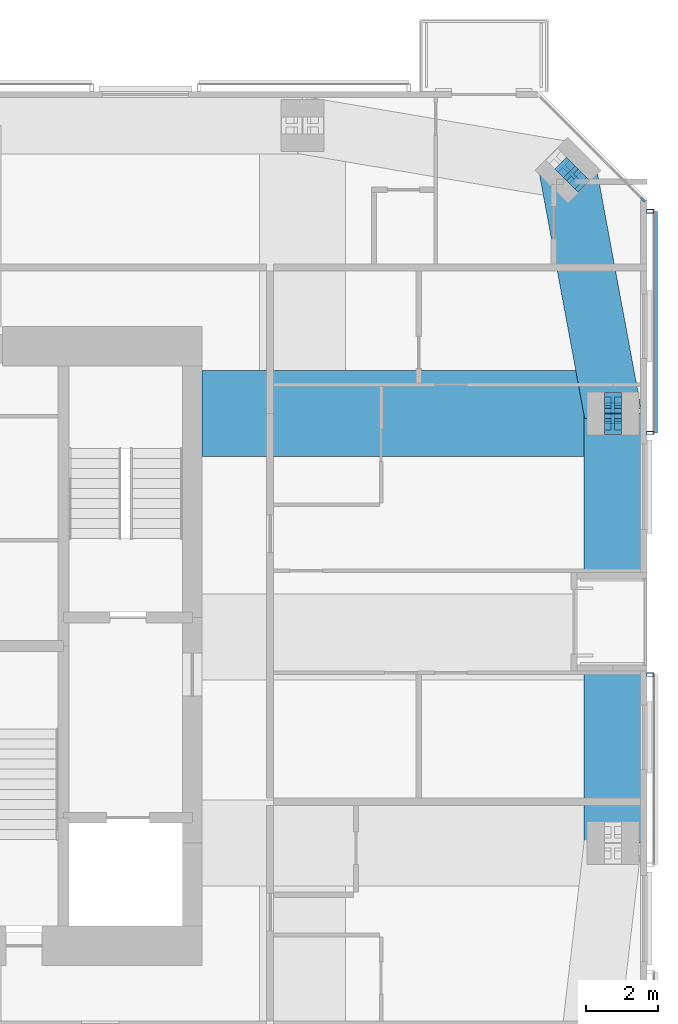
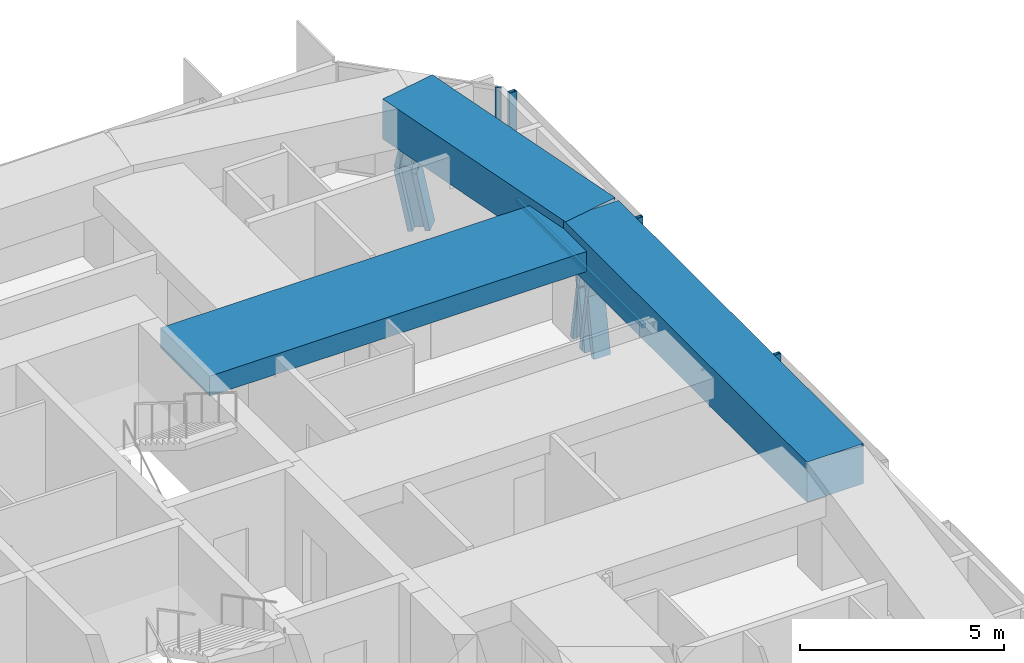
# One storey, part 9 of 20: 11 members, 3 beams, 3 elements without a shape of their own.
"""IFC4 building model written with IfcOpenShell, lengths in metres."""

from ifc_helpers import new_model, si_unit, direction, frame, origin, origin_2d, place, context, subcontext, project, spatial, rectangle, hollow_rectangle, i_section, extrude, material, material_profile, profile_set, type_object, element, aggregate, save


model = new_model("IFC4")

# Units and contexts
model_context = context("Model", 3, precision=1e-05, world=origin(), true_north=direction((0.0, 1.0)))
body_context = subcontext(model_context, "Body", "Model", "MODEL_VIEW")
ifc_project = project(units=[si_unit("LENGTHUNIT", "METRE"), si_unit("AREAUNIT", "SQUARE_METRE"), si_unit("VOLUMEUNIT", "CUBIC_METRE"), si_unit("PLANEANGLEUNIT", "RADIAN"), si_unit("MASSUNIT", "GRAM", prefix="KILO")], contexts=[model_context])

# Site, building, storey
site_placement = place(None, origin())
site = spatial("IfcSite", under=ifc_project, at=site_placement, CompositionType="ELEMENT")
building_placement = place(site_placement, origin())
building = spatial("IfcBuilding", under=site, at=building_placement, Name="Jalousie Tower", CompositionType="ELEMENT")
storey_placement = place(building_placement, frame((0.0, 0.0, 242.449951171875)))
storey = spatial("IfcBuildingStorey", under=building, at=storey_placement, Name="L66", CompositionType="ELEMENT", Elevation=242.449951171875)

# Curtain wall, member
ifc_material_1 = material(Name="Aluminium curtain wall", Category="aluminium")
curtain_wall_type_1 = type_object("IfcCurtainWallType", Name="CORNER WINDOW WALL", PredefinedType="USERDEFINED", material=ifc_material_1)
curtain_wall_1_placement = place(storey_placement, origin())
curtain_wall_1 = element("IfcCurtainWall", 1, at=curtain_wall_1_placement, inside=storey, type_object=curtain_wall_type_1, Name="Corner Window Wall L66 4", ObjectType="CORNER WINDOW WALL", PredefinedType="USERDEFINED")
ifc_material_2 = material(Name="Aluminium mullion", Category="aluminium")
ifc_material_profile_1 = material_profile(ifc_material_2, rectangle(XDim=0.06005859375, YDim=0.14990234375, at=origin_2d()), Name="MULLION 60x150")
ifc_profile_set_1 = profile_set([ifc_material_profile_1], Name="Aluminium mullion")
member_type_1 = type_object("IfcMemberType", Name="CORNER WINDOW WALL MULLION", PredefinedType="MULLION", material=ifc_profile_set_1)
member_1_placement = place(storey_placement, frame((56.391357421875, 30.969970703125, 0.0), z_axis=(0.0, 0.0, 1.0), x_axis=(-0.707106781187, -0.707106781187, 0.0)))
member_1 = element("IfcMember", 2, at=member_1_placement, type_object=member_type_1, Name="CW-C mullion 1", PredefinedType="MULLION", context=body_context, shape_type="SweptSolid", body=[
    extrude(rectangle(XDim=0.06005859375, YDim=0.14990234375, at=origin_2d()), origin(), (0.0, 0.0, 1.0), 3.260009765625),
])
aggregate(curtain_wall_1, [member_1])

# Members
ifc_material_3 = material(Name="Steel ASTM A992 Grade 50", Category="steel")
ifc_material_profile_2 = material_profile(ifc_material_3, i_section(OverallWidth=0.472412109375, OverallDepth=0.5791015625, WebThickness=0.094970703125, FlangeThickness=0.1298828125, at=origin_2d()), Name="W14X808")
ifc_profile_set_2 = profile_set([ifc_material_profile_2], Name="Steel ASTM A992 Grade 50")
member_type_2 = type_object("IfcMemberType", Name="PERIMETER BRACE W14X808", PredefinedType="BRACE", material=ifc_profile_set_2)
for number, where, z_axis, x_axis, name in (
    (3, (55.550048828125, 24.699951171875, -0.599853515625), (0.0, 0.168990530437, 0.98561767467), (-1.0, 0.0, 0.0), "Perimeter brace 07 L66 part 1"),
    (4, (55.550048828125, 25.0, 1.150146484375), (0.0, 0.168990530437, 0.98561767467), (-1.0, 0.0, 0.0), "Perimeter brace 07 L66 part 2"),
    (5, (55.550048828125, 25.300048828125, -0.599853515625), (0.0, -0.168990530437, 0.98561767467), (1.0, 0.0, 0.0), "Perimeter brace 07 L66 part 3"),
    (6, (55.550048828125, 25.0, 1.150146484375), (0.0, -0.168990530437, 0.98561767467), (1.0, 0.0, 0.0), "Perimeter brace 07 L66 part 4"),
):
    element("IfcMember", number, at=place(storey_placement, frame(where, z_axis=z_axis, x_axis=x_axis)), inside=storey, type_object=member_type_2, Name=name, PredefinedType="BRACE", context=body_context, shape_type="SweptSolid", body=[
        extrude(i_section(OverallWidth=0.472412109375, OverallDepth=0.5791015625, WebThickness=0.094970703125, FlangeThickness=0.1298828125, at=origin_2d()), origin(), (0.0, 0.0, 1.0), 1.775634765625),
    ])
for number, where, z_axis, x_axis, name in (
    (7, (54.540283203125, 31.54541015625, -0.599853515625), (-0.138579250682, 0.138716051522, 0.980588419435), (-0.707455539091, -0.706757851183, 0.0), "Perimeter brace 08 L66 part 1"),
    (8, (54.29296875, 31.79296875, 1.150146484375), (0.138579250682, -0.138716051522, 0.980588419435), (0.707455539091, 0.706757851183, 0.0), "Perimeter brace 08 L66 part 4"),
):
    element("IfcMember", number, at=place(storey_placement, frame(where, z_axis=z_axis, x_axis=x_axis)), inside=storey, type_object=member_type_2, Name=name, PredefinedType="BRACE", context=body_context, shape_type="SweptSolid", body=[
        extrude(i_section(OverallWidth=0.472412109375, OverallDepth=0.5791015625, WebThickness=0.094970703125, FlangeThickness=0.1298828125, at=origin_2d()), origin(), (0.0, 0.0, 1.0), 1.78466796875),
    ])

# Beams
ifc_material_4 = material(Name="Concrete f'c 40 MPa", Category="concrete")
ifc_material_profile_3 = material_profile(ifc_material_4, rectangle(XDim=1.60009765625, YDim=1.199951171875, at=origin_2d()), Name="RC 1600x1200")
ifc_profile_set_3 = profile_set([ifc_material_profile_3], Name="Concrete f'c 40 MPa")
beam_type_1 = type_object("IfcBeamType", Name="RC BEAM 1600x1200", PredefinedType="BEAM", material=ifc_profile_set_3)
beam_1_placement = place(storey_placement, frame((55.550048828125, 13.0, 2.900146484375), z_axis=(0.0, 1.0, 0.0), x_axis=(-1.0, 0.0, 0.0)))
element("IfcBeam", 9, at=beam_1_placement, inside=storey, type_object=beam_type_1, Name="Edge band beam 06-07 under L67", PredefinedType="BEAM", context=body_context, shape_type="SweptSolid", body=[
    extrude(rectangle(XDim=1.60009765625, YDim=1.199951171875, at=origin_2d()), origin(), (0.0, 0.0, 1.0), 12.0),
])
beam_2_placement = place(storey_placement, frame((55.550048828125, 25.0, 2.900146484375), z_axis=(-0.181966505593, 0.983304729391, 0.0), x_axis=(-0.983304729391, -0.181966505593, 0.0)))
element("IfcBeam", 10, at=beam_2_placement, inside=storey, type_object=beam_type_1, Name="Edge band beam 07-08 under L67", PredefinedType="BEAM", context=body_context, shape_type="SweptSolid", body=[
    extrude(rectangle(XDim=1.60009765625, YDim=1.199951171875, at=origin_2d()), origin(), (0.0, 0.0, 1.0), 6.908203125),
])
ifc_material_5 = material(Name="Concrete f'c 40 MPa", Category="concrete")
ifc_material_profile_4 = material_profile(ifc_material_5, rectangle(XDim=2.39990234375, YDim=0.60009765625, at=origin_2d()), Name="RC 2400x600")
ifc_profile_set_4 = profile_set([ifc_material_profile_4], Name="Concrete f'c 40 MPa")
beam_type_2 = type_object("IfcBeamType", Name="RC BEAM 2400x600", PredefinedType="BEAM", material=ifc_profile_set_4)
beam_3_placement = place(storey_placement, frame((55.550048828125, 25.0, 2.9599609375), z_axis=(-1.0, 0.0, 0.0), x_axis=(0.0, -1.0, 0.0)))
element("IfcBeam", 11, at=beam_3_placement, inside=storey, type_object=beam_type_2, Name="Floor band beam under L67", PredefinedType="BEAM", context=body_context, shape_type="SweptSolid", body=[
    extrude(rectangle(XDim=2.39990234375, YDim=0.60009765625, at=origin_2d()), origin(), (0.0, 0.0, 1.0), 11.47509765625),
])

# Curtain wall, member
ifc_material_6 = material(Name="Perforated aluminium sheet", Category="aluminium")
curtain_wall_type_2 = type_object("IfcCurtainWallType", Name="SOLAR SCREEN SS-2", PredefinedType="USERDEFINED", material=ifc_material_6)
curtain_wall_2_placement = place(storey_placement, origin())
curtain_wall_2 = element("IfcCurtainWall", 12, at=curtain_wall_2_placement, inside=storey, type_object=curtain_wall_type_2, Name="Solar screen L66", ObjectType="SOLAR SCREEN SS-2", PredefinedType="USERDEFINED")
ifc_material_7 = material(Name="Steel ASTM A500 Grade C", Category="steel")
ifc_material_profile_5 = material_profile(ifc_material_7, hollow_rectangle(XDim=0.1015625, YDim=0.203125, WallThickness=0.0078125, at=origin_2d()), Name="HSS8X4X5/16")
ifc_profile_set_5 = profile_set([ifc_material_profile_5], Name="Steel ASTM A500 Grade C")
member_type_3 = type_object("IfcMemberType", Name="SOLAR SCREEN SS-2 MULLION", PredefinedType="MULLION", material=ifc_profile_set_5)
member_2_placement = place(storey_placement, frame((56.5966796875, 17.699951171875, -0.119873046875), z_axis=(0.0, 0.0, 1.0), x_axis=(0.0, 1.0, 0.0)))
member_2 = element("IfcMember", 13, at=member_2_placement, type_object=member_type_3, Name="SS2 post 2", PredefinedType="MULLION", context=body_context, shape_type="SweptSolid", body=[
    extrude(hollow_rectangle(XDim=0.1015625, YDim=0.203125, WallThickness=0.0078125, at=origin_2d()), origin(), (0.0, 0.0, 1.0), 3.3798828125),
])
aggregate(curtain_wall_2, [member_2])

# Curtain wall, members
curtain_wall_3_placement = place(storey_placement, origin())
curtain_wall_3 = element("IfcCurtainWall", 14, at=curtain_wall_3_placement, inside=storey, type_object=curtain_wall_type_2, Name="Solar screen L66", ObjectType="SOLAR SCREEN SS-2", PredefinedType="USERDEFINED")
member_3_placement = place(storey_placement, frame((56.5966796875, 24.449951171875, -0.119873046875), z_axis=(0.0, 0.0, 1.0), x_axis=(0.0, 1.0, 0.0)))
member_3 = element("IfcMember", 15, at=member_3_placement, type_object=member_type_3, Name="SS2 post 1", PredefinedType="MULLION", context=body_context, shape_type="SweptSolid", body=[
    extrude(hollow_rectangle(XDim=0.1015625, YDim=0.203125, WallThickness=0.0078125, at=origin_2d()), origin(), (0.0, 0.0, 1.0), 3.3798828125),
])
member_4_placement = place(storey_placement, frame((56.5966796875, 30.648681640625, -0.119873046875), z_axis=(0.0, 0.0, 1.0), x_axis=(0.0, 1.0, 0.0)))
member_4 = element("IfcMember", 16, at=member_4_placement, type_object=member_type_3, Name="SS2 post 2", PredefinedType="MULLION", context=body_context, shape_type="SweptSolid", body=[
    extrude(hollow_rectangle(XDim=0.1015625, YDim=0.203125, WallThickness=0.0078125, at=origin_2d()), origin(), (0.0, 0.0, 1.0), 3.3798828125),
])
ifc_material_8 = material(Name="Extruded aluminium screen rail", Category="aluminium")
ifc_material_profile_6 = material_profile(ifc_material_8, rectangle(XDim=0.1015625, YDim=0.1201171875, at=origin_2d()), Name="RAIL 102x120")
ifc_profile_set_6 = profile_set([ifc_material_profile_6], Name="Extruded aluminium screen rail")
member_type_4 = type_object("IfcMemberType", Name="SOLAR SCREEN SS-2 TRANSOM", PredefinedType="USERDEFINED", material=ifc_profile_set_6)
member_5_placement = place(storey_placement, frame((56.7490234375, 24.449951171875, -0.06005859375), z_axis=(0.0, 1.0, 0.0), x_axis=(-1.0, 0.0, 0.0)))
member_5 = element("IfcMember", 17, at=member_5_placement, type_object=member_type_4, Name="SS2 rail", ObjectType="TRANSOM", PredefinedType="USERDEFINED", context=body_context, shape_type="SweptSolid", body=[
    extrude(rectangle(XDim=0.1015625, YDim=0.1201171875, at=origin_2d()), origin(), (0.0, 0.0, 1.0), 6.19873046875),
])
aggregate(curtain_wall_3, [member_3, member_4, member_5])

save(model, "model.ifc")
